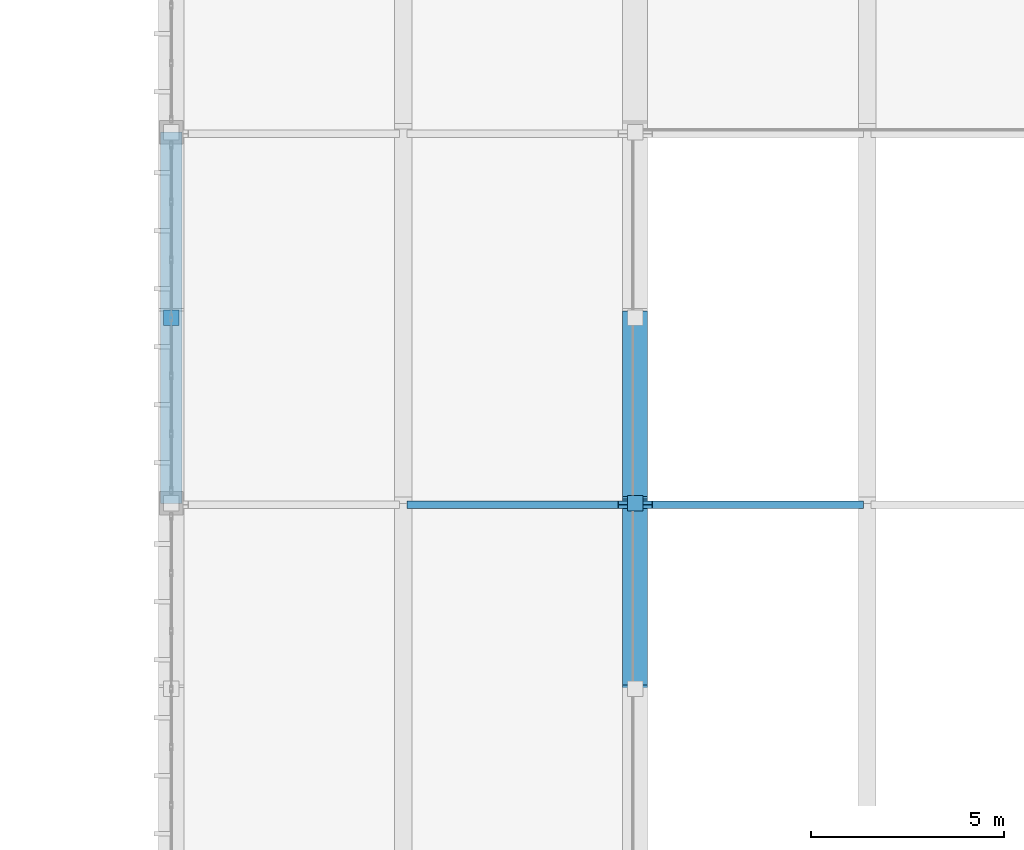
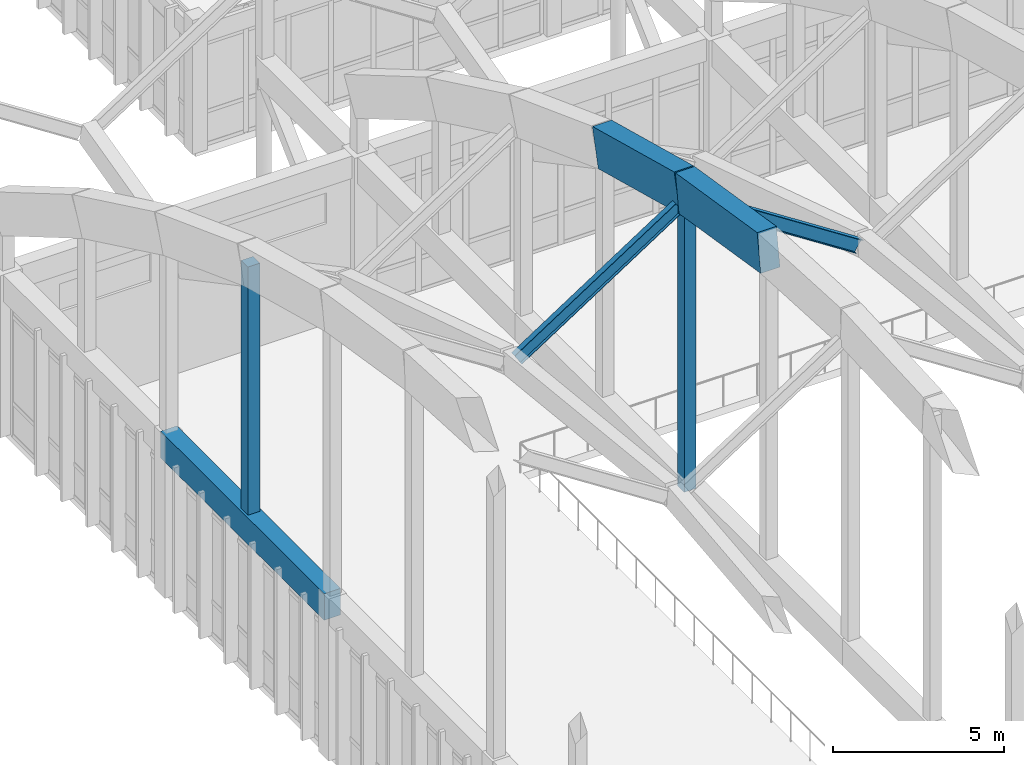
# One storey, part 65 of 236: 4 members, 3 beams.
"""IFC4 building model written with IfcOpenShell, lengths in metres."""

from ifc_helpers import new_model, si_unit, direction, frame, origin, origin_2d, place, context, subcontext, project, spatial, rectangle, i_section, extrude, material, material_profile, profile_set, type_object, element, save


model = new_model("IFC4")

# Units and contexts
model_context = context("Model", 3, precision=1e-05, world=origin(), true_north=direction((0.0, 1.0)))
body_context = subcontext(model_context, "Body", "Model", "MODEL_VIEW")
ifc_project = project(units=[si_unit("LENGTHUNIT", "METRE"), si_unit("AREAUNIT", "SQUARE_METRE"), si_unit("VOLUMEUNIT", "CUBIC_METRE"), si_unit("PLANEANGLEUNIT", "RADIAN"), si_unit("MASSUNIT", "GRAM", prefix="KILO")], contexts=[model_context])

# Site, building, storey
site_placement = place(None, origin())
site = spatial("IfcSite", under=ifc_project, at=site_placement, CompositionType="ELEMENT")
building_placement = place(site_placement, origin())
building = spatial("IfcBuilding", under=site, at=building_placement, Name="Pandanus Reach Market Hall", CompositionType="ELEMENT")
storey_placement = place(building_placement, frame((0.0, 0.0, 5.39990234375)))
storey = spatial("IfcBuildingStorey", under=building, at=storey_placement, Name="L01", CompositionType="ELEMENT", Elevation=5.39990234375)

# Members
ifc_material_1 = material(Name="Concrete N50 (50 MPa)", Category="concrete")
ifc_material_profile_1 = material_profile(ifc_material_1, rectangle(XDim=0.64990234375, YDim=1.35009765625, at=origin_2d()), Name="RC650x1350", Category="LoadBearing")
ifc_profile_set_1 = profile_set([ifc_material_profile_1], Name="Concrete N50 (50 MPa)")
member_type_1 = type_object("IfcMemberType", Name="AR-RC650-E", PredefinedType="CHORD", material=ifc_profile_set_1)
member_1_placement = place(storey_placement, frame((60.0, 62.39990234375, 16.724609375), z_axis=(0.0, 0.987485724156, -0.15770841635), x_axis=(-1.0, 0.0, 0.0)))
element("IfcMember", 1, at=member_1_placement, inside=storey, type_object=member_type_1, Name="Parabolic arch top chord A2.8", PredefinedType="CHORD", context=body_context, shape_type="SweptSolid", body=[
    extrude(rectangle(XDim=0.64990234375, YDim=1.35009765625, at=origin_2d()), origin(), (0.0, 0.0, 1.0), 4.86083984375),
])
member_2_placement = place(storey_placement, frame((60.0, 67.199951171875, 15.9580078125), z_axis=(0.0, 0.966344166189, -0.257252701584), x_axis=(-1.0, 0.0, 0.0)))
element("IfcMember", 2, at=member_2_placement, inside=storey, type_object=member_type_1, Name="Parabolic arch top chord A2.9", PredefinedType="CHORD", context=body_context, shape_type="SweptSolid", body=[
    extrude(rectangle(XDim=0.64990234375, YDim=1.35009765625, at=origin_2d()), origin(), (0.0, 0.0, 1.0), 4.96728515625),
])
ifc_material_profile_2 = material_profile(ifc_material_1, rectangle(XDim=0.39990234375, YDim=0.39990234375, at=origin_2d()), Name="RC400x400", Category="LoadBearing")
ifc_profile_set_2 = profile_set([ifc_material_profile_2], Name="Concrete N50 (50 MPa)")
member_type_2 = type_object("IfcMemberType", Name="AR-WEB400-E", PredefinedType="STRUT", material=ifc_profile_set_2)
member_3_placement = place(storey_placement, frame((48.0, 72.0, 5.3251953125), z_axis=(0.0, 0.0, 1.0), x_axis=(1.0, 0.0, 0.0)))
element("IfcMember", 3, at=member_3_placement, inside=storey, type_object=member_type_2, Name="Arch truss vertical web strut A1.9", PredefinedType="STRUT", context=body_context, shape_type="SweptSolid", body=[
    extrude(rectangle(XDim=0.39990234375, YDim=0.39990234375, at=origin_2d()), origin(), (0.0, 0.0, 1.0), 9.35498046875),
])
member_4_placement = place(storey_placement, frame((60.0, 67.199951171875, 5.3251953125), z_axis=(0.0, 0.0, 1.0), x_axis=(1.0, 0.0, 0.0)))
element("IfcMember", 4, at=member_4_placement, inside=storey, type_object=member_type_2, Name="Arch truss vertical web strut A2.8", PredefinedType="STRUT", context=body_context, shape_type="SweptSolid", body=[
    extrude(rectangle(XDim=0.39990234375, YDim=0.39990234375, at=origin_2d()), origin(), (0.0, 0.0, 1.0), 10.6328125),
])

# Beams
ifc_material_profile_3 = material_profile(ifc_material_1, rectangle(XDim=0.550048828125, YDim=0.949951171875, at=origin_2d()), Name="RC550x950", Category="LoadBearing")
ifc_profile_set_3 = profile_set([ifc_material_profile_3], Name="Concrete N50 (50 MPa)")
beam_type_1 = type_object("IfcBeamType", Name="BM-RC550-E", PredefinedType="BEAM", material=ifc_profile_set_3)
beam_placement = place(storey_placement, frame((48.0, 67.199951171875, 5.3251953125), z_axis=(0.0, 1.0, 0.0), x_axis=(-1.0, 0.0, 0.0)))
element("IfcBeam", 5, at=beam_placement, inside=storey, type_object=beam_type_1, Name="Parabolic arch tie girder A1.5", PredefinedType="BEAM", context=body_context, shape_type="SweptSolid", body=[
    extrude(rectangle(XDim=0.550048828125, YDim=0.949951171875, at=origin_2d()), origin(), (0.0, 0.0, 1.0), 9.60009765625),
])
ifc_material_2 = material(Name="Steel Grade 350 (350 MPa)", Category="steel")
ifc_material_profile_4 = material_profile(ifc_material_2, i_section(OverallWidth=0.18994140625, OverallDepth=0.45703125, WebThickness=0.009033203125, FlangeThickness=0.014404296875, at=origin_2d()), Name="460UB74.6", Category="LoadBearing")
ifc_profile_set_4 = profile_set([ifc_material_profile_4], Name="Steel Grade 350 (350 MPa)")
beam_type_2 = type_object("IfcBeamType", Name="BM-UB460-I", PredefinedType="BEAM", material=ifc_profile_set_4)
for number, where, z_axis, x_axis, name in (
    (6, (54.219970703125, 67.159912109375, 11.976318359375), (0.839070527962, 0.0, 0.544022654956), (0.0, 1.0, 0.0), "Butterfly transverse rib B1.5R"),
    (7, (60.320068359375, 67.159912109375, 15.516357421875), (0.839070527962, 0.0, -0.544022654956), (0.0, 1.0, 0.0), "Butterfly transverse rib B2.5L"),
):
    element("IfcBeam", number, at=place(storey_placement, frame(where, z_axis=z_axis, x_axis=x_axis)), inside=storey, type_object=beam_type_2, Name=name, PredefinedType="BEAM", context=body_context, shape_type="SweptSolid", body=[
        extrude(i_section(OverallWidth=0.18994140625, OverallDepth=0.45703125, WebThickness=0.009033203125, FlangeThickness=0.014404296875, at=origin_2d()), origin(), (0.0, 0.0, 1.0), 6.507080078125),
    ])

save(model, "model.ifc")
